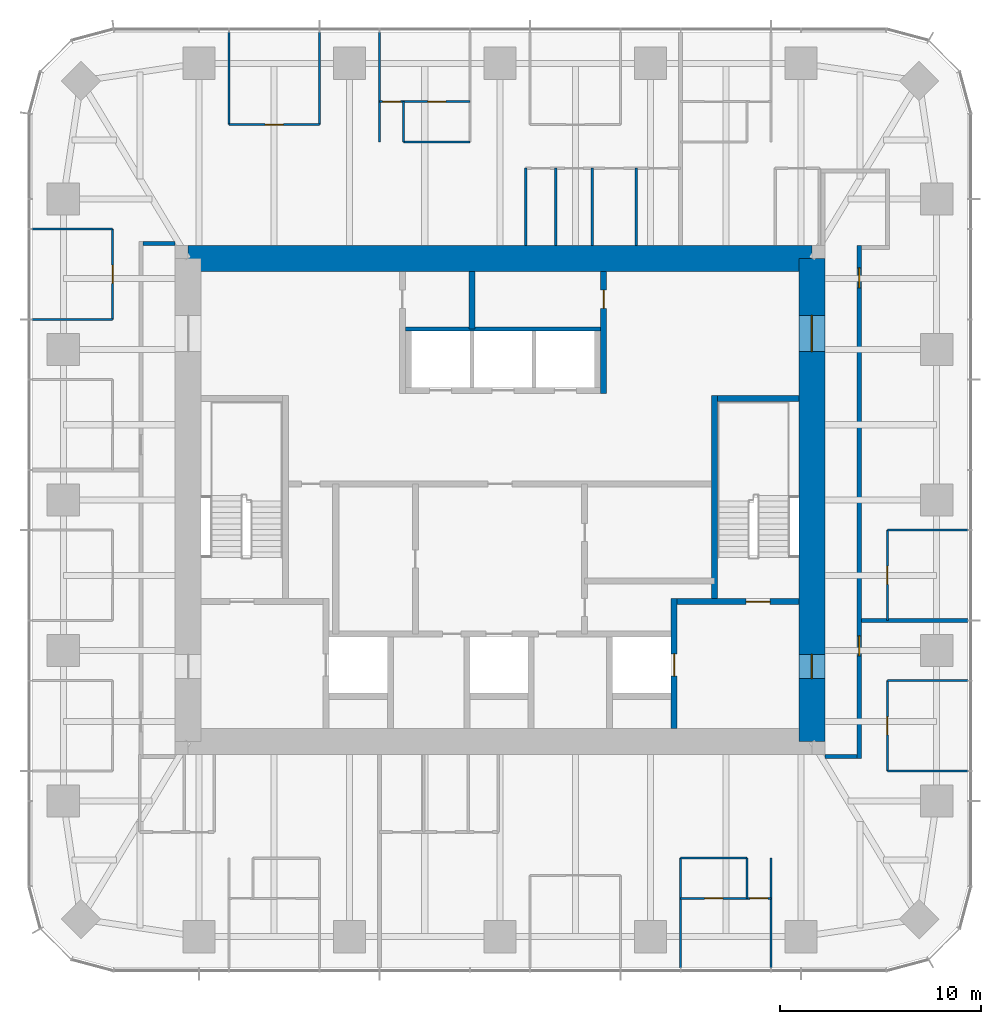
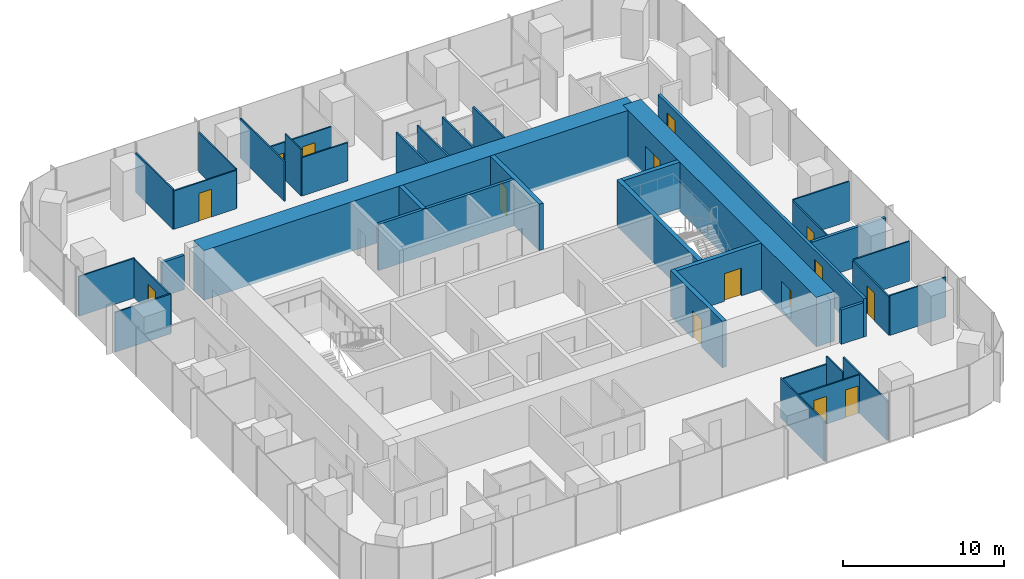
# One storey, part 10 of 12: 37 walls, 15 doors, 15 openings.
"""IFC4 building model written with IfcOpenShell, lengths in metres."""

from ifc_helpers import new_model, si_unit, direction, frame, frame_2d, origin, place, context, subcontext, project, spatial, rectangle, extrude, material, layer, layer_set, type_object, element, fill, save


model = new_model("IFC4")

# Units and contexts
model_context = context("Model", 3, precision=1e-05, world=origin(), true_north=direction((0.0, 1.0)))
body_context = subcontext(model_context, "Body", "Model", "MODEL_VIEW")
ifc_project = project(units=[si_unit("LENGTHUNIT", "METRE"), si_unit("AREAUNIT", "SQUARE_METRE"), si_unit("VOLUMEUNIT", "CUBIC_METRE"), si_unit("PLANEANGLEUNIT", "RADIAN"), si_unit("MASSUNIT", "GRAM", prefix="KILO")], contexts=[model_context])

# Site, building, storey
site_placement = place(None, origin())
site = spatial("IfcSite", under=ifc_project, at=site_placement, CompositionType="ELEMENT")
building_placement = place(site_placement, origin())
building = spatial("IfcBuilding", under=site, at=building_placement, Name="Khuree Lantern Residences", CompositionType="ELEMENT")
storey_placement = place(building_placement, frame((0.0, 0.0, 319.5)))
storey = spatial("IfcBuildingStorey", under=building, at=storey_placement, Name="L80", CompositionType="ELEMENT", Elevation=319.5)

# Walls
ifc_material_1 = material(Name="Moisture-resistant gypsum board on steel studs", Category="steel")
ifc_layer_1 = layer(ifc_material_1, 0.125)
ifc_layer_set_1 = layer_set([ifc_layer_1], Name="BATHROOM WALL BTW125")
wall_type_1 = type_object("IfcWallType", Name="BATHROOM WALL BTW125", PredefinedType="PARTITIONING", material=ifc_layer_set_1)
for number, where, z_axis, x_axis, name in (
    (1, (6.77587890625, 12.64990234375, 0.0), (0.0, 0.0, 1.0), (0.0, 1.0, 0.0), "L80 BATHROOM WALL 02"),
    (2, (4.575927734375, 12.64990234375, 0.0), (0.0, 0.0, 1.0), (0.0, 1.0, 0.0), "L80 BATHROOM WALL 02"),
    (3, (2.77587890625, 12.64990234375, 0.0), (0.0, 0.0, 1.0), (0.0, 1.0, 0.0), "L80 BATHROOM WALL 02"),
    (4, (1.27587890625, 12.64990234375, 0.0), (0.0, 0.0, 1.0), (0.0, 1.0, 0.0), "L80 BATHROOM WALL 02"),
):
    element("IfcWall", number, at=place(storey_placement, frame(where, z_axis=z_axis, x_axis=x_axis)), inside=storey, type_object=wall_type_1, Name=name, PredefinedType="PARTITIONING", context=body_context, shape_type="SweptSolid", body=[
        extrude(rectangle(XDim=3.846435546875, YDim=0.125, at=frame_2d((1.92333984375, 0.0))), origin(), (0.0, 0.0, 1.0), 3.5),
    ])

# Wall, opening, door
ifc_material_2 = material(Name="Dense concrete blockwork", Category="masonry")
ifc_layer_2 = layer(ifc_material_2, 0.300048828125)
ifc_layer_set_2 = layer_set([ifc_layer_2], Name="CORE PARTITION WALL CPW300 EI 120")
wall_type_2 = type_object("IfcWallType", Name="CORE PARTITION WALL CPW300 EI 120", PredefinedType="PARTITIONING", material=ifc_layer_set_2)
wall_1_placement = place(storey_placement, frame((8.64990234375, -11.35009765625, 0.0), z_axis=(0.0, 0.0, 1.0), x_axis=(0.0, 1.0, 0.0)))
wall_1 = element("IfcWall", 5, at=wall_1_placement, inside=storey, type_object=wall_type_2, Name="L80 CORE WALL FL2E", PredefinedType="PARTITIONING", context=body_context, shape_type="SweptSolid", body=[
    extrude(rectangle(XDim=6.4501953125, YDim=0.300048828125, at=frame_2d((3.22509765625, 0.0))), origin(), (0.0, 0.0, 1.0), 3.5),
])
opening_1_placement = place(wall_1_placement, frame((2.60009765625, 0.0, 0.0)))
opening_1 = element("IfcOpeningElement", 6, at=opening_1_placement, cuts=wall_1, Name="Opening 80-008", PredefinedType="OPENING", context=body_context, shape_type="SweptSolid", body=[
    extrude(rectangle(XDim=1.10009765625, YDim=2.10009765625, at=frame_2d((0.550048828125, 1.050048828125))), frame((0.0, 0.16015625, 0.0), z_axis=(0.0, -1.0, 0.0), x_axis=(1.0, 0.0, 0.0)), (0.0, 0.0, 1.0), 0.320068359375),
])
ifc_material_3 = material(Name="Stainless steel lift landing door", Category="steel")
door_type_1 = type_object("IfcDoorType", Name="LIFT LANDING DOOR 1100X2100 E 120", OperationType="DOUBLE_DOOR_SLIDING", PredefinedType="DOOR", material=ifc_material_3)
door_1_placement = place(opening_1_placement, origin())
door_1 = element("IfcDoor", 7, at=door_1_placement, inside=storey, type_object=door_type_1, Name="Landing door FL2 80-008", OperationType="DOUBLE_DOOR_SLIDING", OverallHeight=2.10009765625, OverallWidth=1.10009765625, PredefinedType="DOOR", context=body_context, shape_type="SweptSolid", body=[
    extrude(rectangle(XDim=1.10009765625, YDim=2.10009765625, at=frame_2d((0.550048828125, 1.050048828125))), frame((0.0, 0.02490234375, 0.0), z_axis=(0.0, -1.0, 0.0), x_axis=(1.0, 0.0, 0.0)), (0.0, 0.0, 1.0), 0.050048828125),
])
fill(opening_1, door_1)

wall_2_placement = place(storey_placement, frame((5.14990234375, 5.300048828125, 0.0), z_axis=(0.0, 0.0, 1.0), x_axis=(0.0, 1.0, 0.0)))
wall_2 = element("IfcWall", 8, at=wall_2_placement, inside=storey, type_object=wall_type_2, Name="L80 CORE WALL NE", PredefinedType="PARTITIONING", context=body_context, shape_type="SweptSolid", body=[
    extrude(rectangle(XDim=6.050048828125, YDim=0.300048828125, at=frame_2d((3.02490234375, 0.0))), origin(), (0.0, 0.0, 1.0), 3.5),
])
opening_2_placement = place(wall_2_placement, frame((4.22509765625, 0.0, 0.0)))
opening_2 = element("IfcOpeningElement", 9, at=opening_2_placement, cuts=wall_2, Name="Opening 80-021", PredefinedType="OPENING", context=body_context, shape_type="SweptSolid", body=[
    extrude(rectangle(XDim=0.89990234375, YDim=2.10009765625, at=frame_2d((0.449951171875, 1.050048828125))), frame((0.0, 0.16015625, 0.0), z_axis=(0.0, -1.0, 0.0), x_axis=(1.0, 0.0, 0.0)), (0.0, 0.0, 1.0), 0.320068359375),
])
ifc_material_4 = material(Name="Timber door leaf in hardwood frame", Category="wood")
door_type_2 = type_object("IfcDoorType", Name="DOOR 900X2100", OperationType="SINGLE_SWING_LEFT", PredefinedType="DOOR", material=ifc_material_4)
door_2_placement = place(opening_2_placement, origin())
door_2 = element("IfcDoor", 10, at=door_2_placement, inside=storey, type_object=door_type_2, Name="Bulky waste store door 80-021", OperationType="SINGLE_SWING_LEFT", OverallHeight=2.10009765625, OverallWidth=0.89990234375, PredefinedType="DOOR", context=body_context, shape_type="SweptSolid", body=[
    extrude(rectangle(XDim=0.89990234375, YDim=2.10009765625, at=frame_2d((0.449951171875, 1.050048828125))), frame((0.0, 0.02490234375, 0.0), z_axis=(0.0, -1.0, 0.0), x_axis=(1.0, 0.0, 0.0)), (0.0, 0.0, 1.0), 0.050048828125),
])
fill(opening_2, door_2)

# Walls
wall_3_placement = place(storey_placement, frame((-1.39990234375, 8.5, 0.0), z_axis=(0.0, 0.0, 1.0), x_axis=(0.0, 1.0, 0.0)))
element("IfcWall", 11, at=wall_3_placement, inside=storey, type_object=wall_type_2, Name="L80 CORE WALL NX", PredefinedType="PARTITIONING", context=body_context, shape_type="SweptSolid", body=[
    extrude(rectangle(XDim=2.85009765625, YDim=0.300048828125, at=frame_2d((1.425048828125, 0.0))), origin(), (0.0, 0.0, 1.0), 3.5),
])
ifc_material_5 = material(Name="Gypsum board on steel studs", Category="steel")
ifc_layer_3 = layer(ifc_material_5, 0.199951171875)
ifc_layer_set_3 = layer_set([ifc_layer_3], Name="CORRIDOR WALL CRW200 EI 60")
wall_type_3 = type_object("IfcWallType", Name="CORRIDOR WALL CRW200 EI 60", PredefinedType="PARTITIONING", material=ifc_layer_set_3)
for number, where, z_axis, x_axis, name in (
    (12, (16.14990234375, -12.75, 0.0), (0.0, 0.0, 1.0), (1.0, 0.0, 0.0), "L80 EAST CORRIDOR SOUTH END WALL"),
    (13, (-16.14990234375, 12.75, 0.0), (0.0, 0.0, 1.0), (-1.0, 0.0, 0.0), "L80 WEST CORRIDOR NORTH END WALL"),
):
    element("IfcWall", number, at=place(storey_placement, frame(where, z_axis=z_axis, x_axis=x_axis)), inside=storey, type_object=wall_type_3, Name=name, PredefinedType="PARTITIONING", context=body_context, shape_type="SweptSolid", body=[
        extrude(rectangle(XDim=1.60009765625, YDim=0.199951171875, at=frame_2d((0.800048828125, 0.0))), origin(), (0.0, 0.0, 1.0), 2.60009765625),
    ])

# Wall, openings, doors
wall_4_placement = place(storey_placement, frame((17.85009765625, -12.85009765625, 0.0), z_axis=(0.0, 0.0, 1.0), x_axis=(0.0, 1.0, 0.0)))
wall_4 = element("IfcWall", 14, at=wall_4_placement, inside=storey, type_object=wall_type_3, Name="L80 CORRIDOR WALL EAST 1", PredefinedType="PARTITIONING", context=body_context, shape_type="SweptSolid", body=[
    extrude(rectangle(XDim=25.5, YDim=0.199951171875, at=frame_2d((12.75, 0.0))), origin(), (0.0, 0.0, 1.0), 2.89990234375),
])
opening_3_placement = place(wall_4_placement, frame((23.385986328125, 0.0, 0.0)))
opening_3 = element("IfcOpeningElement", 15, at=opening_3_placement, cuts=wall_4, Name="Opening 80-026", PredefinedType="OPENING", context=body_context, shape_type="SweptSolid", body=[
    extrude(rectangle(XDim=1.0, YDim=2.199951171875, at=frame_2d((0.5, 1.10009765625))), frame((0.0, 0.10986328125, 0.0), z_axis=(0.0, -1.0, 0.0), x_axis=(1.0, 0.0, 0.0)), (0.0, 0.0, 1.0), 0.219970703125),
])
opening_4_placement = place(wall_4_placement, frame((5.10009765625, 0.0, 0.0)))
opening_4 = element("IfcOpeningElement", 16, at=opening_4_placement, cuts=wall_4, Name="Opening 80-052", PredefinedType="OPENING", context=body_context, shape_type="SweptSolid", body=[
    extrude(rectangle(XDim=1.0, YDim=2.199951171875, at=frame_2d((0.5, 1.10009765625))), frame((0.0, 0.10986328125, 0.0), z_axis=(0.0, -1.0, 0.0), x_axis=(1.0, 0.0, 0.0)), (0.0, 0.0, 1.0), 0.219970703125),
])
door_type_3 = type_object("IfcDoorType", Name="APARTMENT ENTRANCE DOOR 1000X2200 EI 30S", OperationType="SINGLE_SWING_LEFT", PredefinedType="DOOR", material=ifc_material_4)
door_3_placement = place(opening_3_placement, origin())
door_3 = element("IfcDoor", 17, at=door_3_placement, inside=storey, type_object=door_type_3, Name="Apartment 01 entrance door 80-026", OperationType="SINGLE_SWING_LEFT", OverallHeight=2.199951171875, OverallWidth=1.0, PredefinedType="DOOR", context=body_context, shape_type="SweptSolid", body=[
    extrude(rectangle(XDim=1.0, YDim=2.199951171875, at=frame_2d((0.5, 1.10009765625))), frame((0.0, 0.02490234375, 0.0), z_axis=(0.0, -1.0, 0.0), x_axis=(1.0, 0.0, 0.0)), (0.0, 0.0, 1.0), 0.050048828125),
])
fill(opening_3, door_3)
door_4_placement = place(opening_4_placement, origin())
door_4 = element("IfcDoor", 18, at=door_4_placement, inside=storey, type_object=door_type_3, Name="Apartment 04 entrance door 80-052", OperationType="SINGLE_SWING_LEFT", OverallHeight=2.199951171875, OverallWidth=1.0, PredefinedType="DOOR", context=body_context, shape_type="SweptSolid", body=[
    extrude(rectangle(XDim=1.0, YDim=2.199951171875, at=frame_2d((0.5, 1.10009765625))), frame((0.0, 0.02490234375, 0.0), z_axis=(0.0, -1.0, 0.0), x_axis=(1.0, 0.0, 0.0)), (0.0, 0.0, 1.0), 0.050048828125),
])
fill(opening_4, door_4)

ifc_material_6 = material(Name="Concrete C50/60", Category="concrete")
ifc_layer_4 = layer(ifc_material_6, 1.300048828125)
ifc_layer_set_4 = layer_set([ifc_layer_4], Name="CW1300-C50 CORE WALL C50 1300")
wall_type_4 = type_object("IfcWallType", Name="CW1300-C50 CORE WALL C50 1300", PredefinedType="SHEAR", material=ifc_layer_set_4)
wall_5_placement = place(storey_placement, frame((15.5, -12.0, -0.25), z_axis=(0.0, 0.0, 1.0), x_axis=(0.0, 1.0, 0.0)))
wall_5 = element("IfcWall", 19, at=wall_5_placement, inside=storey, type_object=wall_type_4, Name="Core wall E", PredefinedType="SHEAR", context=body_context, shape_type="SweptSolid", body=[
    extrude(rectangle(XDim=24.0, YDim=1.300048828125, at=frame_2d((12.0, 0.0))), origin(), (0.0, 0.0, 1.0), 3.75),
])
opening_5_placement = place(wall_5_placement, frame((3.125, 0.0, 0.25)))
opening_5 = element("IfcOpeningElement", 20, at=opening_5_placement, cuts=wall_5, Name="Opening 80-005", PredefinedType="OPENING", context=body_context, shape_type="SweptSolid", body=[
    extrude(rectangle(XDim=1.199951171875, YDim=2.10009765625, at=frame_2d((0.60009765625, 1.050048828125))), frame((0.0, 0.66015625, 0.0), z_axis=(0.0, -1.0, 0.0), x_axis=(1.0, 0.0, 0.0)), (0.0, 0.0, 1.0), 1.320068359375),
])
opening_6_placement = place(wall_5_placement, frame((19.375, 0.0, 0.25)))
opening_6 = element("IfcOpeningElement", 21, at=opening_6_placement, cuts=wall_5, Name="Opening 80-006", PredefinedType="OPENING", context=body_context, shape_type="SweptSolid", body=[
    extrude(rectangle(XDim=1.800048828125, YDim=2.10009765625, at=frame_2d((0.89990234375, 1.050048828125))), frame((0.0, 0.66015625, 0.0), z_axis=(0.0, -1.0, 0.0), x_axis=(1.0, 0.0, 0.0)), (0.0, 0.0, 1.0), 1.320068359375),
])
ifc_material_7 = material(Name="Steel door leaf in steel frame", Category="steel")
door_type_4 = type_object("IfcDoorType", Name="LOBBY DOOR 1200X2100 EI 120", OperationType="SINGLE_SWING_LEFT", PredefinedType="DOOR", material=ifc_material_7)
door_5_placement = place(opening_5_placement, origin())
door_5 = element("IfcDoor", 22, at=door_5_placement, inside=storey, type_object=door_type_4, Name="Firefighting lobby door 80-005", OperationType="SINGLE_SWING_LEFT", OverallHeight=2.10009765625, OverallWidth=1.199951171875, PredefinedType="DOOR", context=body_context, shape_type="SweptSolid", body=[
    extrude(rectangle(XDim=1.199951171875, YDim=2.10009765625, at=frame_2d((0.60009765625, 1.050048828125))), frame((0.0, 0.02490234375, 0.0), z_axis=(0.0, -1.0, 0.0), x_axis=(1.0, 0.0, 0.0)), (0.0, 0.0, 1.0), 0.050048828125),
])
fill(opening_5, door_5)
door_type_5 = type_object("IfcDoorType", Name="LOBBY DOUBLE DOOR 1800X2100 EI 60", OperationType="DOUBLE_DOOR_SINGLE_SWING", PredefinedType="DOOR", material=ifc_material_7)
door_6_placement = place(opening_6_placement, origin())
door_6 = element("IfcDoor", 23, at=door_6_placement, inside=storey, type_object=door_type_5, Name="Lift lobby door 80-006", OperationType="DOUBLE_DOOR_SINGLE_SWING", OverallHeight=2.10009765625, OverallWidth=1.800048828125, PredefinedType="DOOR", context=body_context, shape_type="SweptSolid", body=[
    extrude(rectangle(XDim=1.800048828125, YDim=2.10009765625, at=frame_2d((0.89990234375, 1.050048828125))), frame((0.0, 0.02490234375, 0.0), z_axis=(0.0, -1.0, 0.0), x_axis=(1.0, 0.0, 0.0)), (0.0, 0.0, 1.0), 0.050048828125),
])
fill(opening_6, door_6)

# Walls
wall_6_placement = place(storey_placement, frame((-15.5, 12.0, -0.25), z_axis=(0.0, 0.0, 1.0), x_axis=(1.0, 0.0, 0.0)))
element("IfcWall", 24, at=wall_6_placement, inside=storey, type_object=wall_type_4, Name="Core wall N", PredefinedType="SHEAR", context=body_context, shape_type="SweptSolid", body=[
    extrude(rectangle(XDim=31.0, YDim=1.300048828125, at=frame_2d((15.5, 0.0))), origin(), (0.0, 0.0, 1.0), 3.75),
])
ifc_layer_5 = layer(ifc_material_5, 0.199951171875)
ifc_layer_set_5 = layer_set([ifc_layer_5], Name="DEMISING WALL DMW200 EI 90")
wall_type_5 = type_object("IfcWallType", Name="DEMISING WALL DMW200 EI 90", PredefinedType="PARTITIONING", material=ifc_layer_set_5)
wall_7_placement = place(storey_placement, frame((17.949951171875, -5.98388671875, 0.0), z_axis=(0.0, 0.0, 1.0), x_axis=(1.0, 0.0, 0.0)))
element("IfcWall", 25, at=wall_7_placement, inside=storey, type_object=wall_type_5, Name="L80 DEMISING WALL 01", PredefinedType="PARTITIONING", context=body_context, shape_type="SweptSolid", body=[
    extrude(rectangle(XDim=5.300048828125, YDim=0.199951171875, at=frame_2d((2.64990234375, 0.0))), origin(), (0.0, 0.0, 1.0), 3.010009765625),
])
ifc_layer_6 = layer(ifc_material_5, 0.10009765625)
ifc_layer_set_6 = layer_set([ifc_layer_6], Name="PARTITION PT100")
wall_type_6 = type_object("IfcWallType", Name="PARTITION PT100", PredefinedType="PARTITIONING", material=ifc_layer_set_6)
wall_8_placement = place(storey_placement, frame((19.25, -1.49609375, 0.0), z_axis=(0.0, 0.0, 1.0), x_axis=(1.0, 0.0, 0.0)))
element("IfcWall", 26, at=wall_8_placement, inside=storey, type_object=wall_type_6, Name="L80 PARTITION 01", PredefinedType="PARTITIONING", context=body_context, shape_type="SweptSolid", body=[
    extrude(rectangle(XDim=4.0, YDim=0.10009765625, at=frame_2d((2.0, 0.0))), origin(), (0.0, 0.0, 1.0), 3.010009765625),
])
wall_9_placement = place(storey_placement, frame((-5.98388671875, 17.79638671875, 0.0), z_axis=(0.0, 0.0, 1.0), x_axis=(0.0, 1.0, 0.0)))
element("IfcWall", 27, at=wall_9_placement, inside=storey, type_object=wall_type_6, Name="L80 PARTITION 02", PredefinedType="PARTITIONING", context=body_context, shape_type="SweptSolid", body=[
    extrude(rectangle(XDim=5.45361328125, YDim=0.10009765625, at=frame_2d((2.726806640625, 0.0))), origin(), (0.0, 0.0, 1.0), 3.010009765625),
])
for number, where, z_axis, x_axis, name in (
    (28, (-8.97607421875, 18.64990234375, 0.0), (0.0, 0.0, 1.0), (0.0, 1.0, 0.0), "L80 PARTITION 02"),
    (29, (-13.464111328125, 18.64990234375, 0.0), (0.0, 0.0, 1.0), (0.0, 1.0, 0.0), "L80 PARTITION 02"),
):
    element("IfcWall", number, at=place(storey_placement, frame(where, z_axis=z_axis, x_axis=x_axis)), inside=storey, type_object=wall_type_6, Name=name, PredefinedType="PARTITIONING", context=body_context, shape_type="SweptSolid", body=[
        extrude(rectangle(XDim=4.60009765625, YDim=0.10009765625, at=frame_2d((2.300048828125, 0.0))), origin(), (0.0, 0.0, 1.0), 3.010009765625),
    ])
for number, where, z_axis, x_axis, name in (
    (30, (-19.25, 13.464111328125, 0.0), (0.0, 0.0, 1.0), (-1.0, 0.0, 0.0), "L80 PARTITION 02"),
    (31, (-19.25, 8.97607421875, 0.0), (0.0, 0.0, 1.0), (-1.0, 0.0, 0.0), "L80 PARTITION 02"),
):
    element("IfcWall", number, at=place(storey_placement, frame(where, z_axis=z_axis, x_axis=x_axis)), inside=storey, type_object=wall_type_6, Name=name, PredefinedType="PARTITIONING", context=body_context, shape_type="SweptSolid", body=[
        extrude(rectangle(XDim=4.0, YDim=0.10009765625, at=frame_2d((2.0, 0.0))), origin(), (0.0, 0.0, 1.0), 3.010009765625),
    ])
for number, where, z_axis, x_axis, name in (
    (32, (8.97607421875, -17.79638671875, 0.0), (0.0, 0.0, 1.0), (0.0, -1.0, 0.0), "L80 PARTITION 04"),
    (33, (13.464111328125, -17.79638671875, 0.0), (0.0, 0.0, 1.0), (0.0, -1.0, 0.0), "L80 PARTITION 04"),
):
    element("IfcWall", number, at=place(storey_placement, frame(where, z_axis=z_axis, x_axis=x_axis)), inside=storey, type_object=wall_type_6, Name=name, PredefinedType="PARTITIONING", context=body_context, shape_type="SweptSolid", body=[
        extrude(rectangle(XDim=5.45361328125, YDim=0.10009765625, at=frame_2d((2.726806640625, 0.0))), origin(), (0.0, 0.0, 1.0), 3.010009765625),
    ])
for number, where, z_axis, x_axis, name in (
    (34, (19.25, -13.464111328125, 0.0), (0.0, 0.0, 1.0), (1.0, 0.0, 0.0), "L80 PARTITION 04"),
    (35, (19.25, -8.97607421875, 0.0), (0.0, 0.0, 1.0), (1.0, 0.0, 0.0), "L80 PARTITION 04"),
):
    element("IfcWall", number, at=place(storey_placement, frame(where, z_axis=z_axis, x_axis=x_axis)), inside=storey, type_object=wall_type_6, Name=name, PredefinedType="PARTITIONING", context=body_context, shape_type="SweptSolid", body=[
        extrude(rectangle(XDim=4.0, YDim=0.10009765625, at=frame_2d((2.0, 0.0))), origin(), (0.0, 0.0, 1.0), 3.010009765625),
    ])

# Wall, opening, door
wall_10_placement = place(storey_placement, frame((19.25, -5.98388671875, 0.0), z_axis=(0.0, 0.0, 1.0), x_axis=(0.0, 1.0, 0.0)))
wall_10 = element("IfcWall", 36, at=wall_10_placement, inside=storey, type_object=wall_type_6, Name="L80 PARTITION 01", PredefinedType="PARTITIONING", context=body_context, shape_type="SweptSolid", body=[
    extrude(rectangle(XDim=4.48779296875, YDim=0.10009765625, at=frame_2d((2.243896484375, 0.0))), origin(), (0.0, 0.0, 1.0), 2.909912109375),
])
opening_7_placement = place(wall_10_placement, frame((1.7939453125, 0.0, 0.0)))
opening_7 = element("IfcOpeningElement", 37, at=opening_7_placement, cuts=wall_10, Name="Opening 80-022", PredefinedType="OPENING", context=body_context, shape_type="SweptSolid", body=[
    extrude(rectangle(XDim=0.89990234375, YDim=2.10009765625, at=frame_2d((0.449951171875, 1.050048828125))), frame((0.0, 0.06005859375, 0.0), z_axis=(0.0, -1.0, 0.0), x_axis=(1.0, 0.0, 0.0)), (0.0, 0.0, 1.0), 0.1201171875),
])
door_type_6 = type_object("IfcDoorType", Name="BEDROOM DOOR 900X2100", OperationType="SINGLE_SWING_LEFT", PredefinedType="DOOR", material=ifc_material_4)
door_7_placement = place(opening_7_placement, origin())
door_7 = element("IfcDoor", 38, at=door_7_placement, inside=storey, type_object=door_type_6, Name="Bedroom door 80-022", OperationType="SINGLE_SWING_LEFT", OverallHeight=2.10009765625, OverallWidth=0.89990234375, PredefinedType="DOOR", context=body_context, shape_type="SweptSolid", body=[
    extrude(rectangle(XDim=0.89990234375, YDim=2.10009765625, at=frame_2d((0.449951171875, 1.050048828125))), frame((0.0, 0.02490234375, 0.0), z_axis=(0.0, -1.0, 0.0), x_axis=(1.0, 0.0, 0.0)), (0.0, 0.0, 1.0), 0.050048828125),
])
fill(opening_7, door_7)

# Wall, openings, doors
wall_11_placement = place(storey_placement, frame((-1.49609375, 19.79638671875, 0.0), z_axis=(0.0, 0.0, 1.0), x_axis=(-1.0, 0.0, 0.0)))
wall_11 = element("IfcWall", 39, at=wall_11_placement, inside=storey, type_object=wall_type_6, Name="L80 PARTITION 02", PredefinedType="PARTITIONING", context=body_context, shape_type="SweptSolid", body=[
    extrude(rectangle(XDim=4.48779296875, YDim=0.10009765625, at=frame_2d((2.243896484375, 0.0))), origin(), (0.0, 0.0, 1.0), 2.909912109375),
])
opening_8_placement = place(wall_11_placement, frame((3.43798828125, 0.0, 0.0)))
opening_8 = element("IfcOpeningElement", 40, at=opening_8_placement, cuts=wall_11, Name="Opening 80-028", PredefinedType="OPENING", context=body_context, shape_type="SweptSolid", body=[
    extrude(rectangle(XDim=0.89990234375, YDim=2.10009765625, at=frame_2d((0.449951171875, 1.050048828125))), frame((0.0, 0.06005859375, 0.0), z_axis=(0.0, -1.0, 0.0), x_axis=(1.0, 0.0, 0.0)), (0.0, 0.0, 1.0), 0.1201171875),
])
opening_9_placement = place(wall_11_placement, frame((1.194091796875, 0.0, 0.0)))
opening_9 = element("IfcOpeningElement", 41, at=opening_9_placement, cuts=wall_11, Name="Opening 80-029", PredefinedType="OPENING", context=body_context, shape_type="SweptSolid", body=[
    extrude(rectangle(XDim=0.89990234375, YDim=2.10009765625, at=frame_2d((0.449951171875, 1.050048828125))), frame((0.0, 0.06005859375, 0.0), z_axis=(0.0, -1.0, 0.0), x_axis=(1.0, 0.0, 0.0)), (0.0, 0.0, 1.0), 0.1201171875),
])
door_8_placement = place(opening_8_placement, origin())
door_8 = element("IfcDoor", 42, at=door_8_placement, inside=storey, type_object=door_type_6, Name="Bedroom door 80-028", OperationType="SINGLE_SWING_LEFT", OverallHeight=2.10009765625, OverallWidth=0.89990234375, PredefinedType="DOOR", context=body_context, shape_type="SweptSolid", body=[
    extrude(rectangle(XDim=0.89990234375, YDim=2.10009765625, at=frame_2d((0.449951171875, 1.050048828125))), frame((0.0, 0.02490234375, 0.0), z_axis=(0.0, -1.0, 0.0), x_axis=(1.0, 0.0, 0.0)), (0.0, 0.0, 1.0), 0.050048828125),
])
fill(opening_8, door_8)
door_9_placement = place(opening_9_placement, origin())
door_9 = element("IfcDoor", 43, at=door_9_placement, inside=storey, type_object=door_type_2, Name="Wardrobe door 80-029", OperationType="SINGLE_SWING_LEFT", OverallHeight=2.10009765625, OverallWidth=0.89990234375, PredefinedType="DOOR", context=body_context, shape_type="SweptSolid", body=[
    extrude(rectangle(XDim=0.89990234375, YDim=2.10009765625, at=frame_2d((0.449951171875, 1.050048828125))), frame((0.0, 0.02490234375, 0.0), z_axis=(0.0, -1.0, 0.0), x_axis=(1.0, 0.0, 0.0)), (0.0, 0.0, 1.0), 0.050048828125),
])
fill(opening_9, door_9)

# Walls
wall_12_placement = place(storey_placement, frame((-4.783935546875, 17.79638671875, 0.0), z_axis=(0.0, 0.0, 1.0), x_axis=(0.0, 1.0, 0.0)))
element("IfcWall", 44, at=wall_12_placement, inside=storey, type_object=wall_type_6, Name="L80 PARTITION 02", PredefinedType="PARTITIONING", context=body_context, shape_type="SweptSolid", body=[
    extrude(rectangle(XDim=2.0, YDim=0.10009765625, at=frame_2d((1.0, 0.0))), origin(), (0.0, 0.0, 1.0), 3.5),
])
wall_13_placement = place(storey_placement, frame((-1.49609375, 17.79638671875, 0.0), z_axis=(0.0, 0.0, 1.0), x_axis=(-1.0, 0.0, 0.0)))
element("IfcWall", 45, at=wall_13_placement, inside=storey, type_object=wall_type_6, Name="L80 PARTITION 02", PredefinedType="PARTITIONING", context=body_context, shape_type="SweptSolid", body=[
    extrude(rectangle(XDim=3.287841796875, YDim=0.10009765625, at=frame_2d((1.64404296875, 0.0))), origin(), (0.0, 0.0, 1.0), 2.909912109375),
])

# Wall, opening, door
wall_14_placement = place(storey_placement, frame((-8.97607421875, 18.64990234375, 0.0), z_axis=(0.0, 0.0, 1.0), x_axis=(-1.0, 0.0, 0.0)))
wall_14 = element("IfcWall", 46, at=wall_14_placement, inside=storey, type_object=wall_type_6, Name="L80 PARTITION 02", PredefinedType="PARTITIONING", context=body_context, shape_type="SweptSolid", body=[
    extrude(rectangle(XDim=4.488037109375, YDim=0.10009765625, at=frame_2d((2.244140625, 0.0))), origin(), (0.0, 0.0, 1.0), 2.909912109375),
])
opening_10_placement = place(wall_14_placement, frame((1.7939453125, 0.0, 0.0)))
opening_10 = element("IfcOpeningElement", 47, at=opening_10_placement, cuts=wall_14, Name="Opening 80-030", PredefinedType="OPENING", context=body_context, shape_type="SweptSolid", body=[
    extrude(rectangle(XDim=0.89990234375, YDim=2.10009765625, at=frame_2d((0.449951171875, 1.050048828125))), frame((0.0, 0.06005859375, 0.0), z_axis=(0.0, -1.0, 0.0), x_axis=(1.0, 0.0, 0.0)), (0.0, 0.0, 1.0), 0.1201171875),
])
door_10_placement = place(opening_10_placement, origin())
door_10 = element("IfcDoor", 48, at=door_10_placement, inside=storey, type_object=door_type_6, Name="Bedroom door 80-030", OperationType="SINGLE_SWING_LEFT", OverallHeight=2.10009765625, OverallWidth=0.89990234375, PredefinedType="DOOR", context=body_context, shape_type="SweptSolid", body=[
    extrude(rectangle(XDim=0.89990234375, YDim=2.10009765625, at=frame_2d((0.449951171875, 1.050048828125))), frame((0.0, 0.02490234375, 0.0), z_axis=(0.0, -1.0, 0.0), x_axis=(1.0, 0.0, 0.0)), (0.0, 0.0, 1.0), 0.050048828125),
])
fill(opening_10, door_10)

wall_15_placement = place(storey_placement, frame((-19.25, 13.464111328125, 0.0), z_axis=(0.0, 0.0, 1.0), x_axis=(0.0, -1.0, 0.0)))
wall_15 = element("IfcWall", 49, at=wall_15_placement, inside=storey, type_object=wall_type_6, Name="L80 PARTITION 02", PredefinedType="PARTITIONING", context=body_context, shape_type="SweptSolid", body=[
    extrude(rectangle(XDim=4.488037109375, YDim=0.10009765625, at=frame_2d((2.244140625, 0.0))), origin(), (0.0, 0.0, 1.0), 2.909912109375),
])
opening_11_placement = place(wall_15_placement, frame((1.7939453125, 0.0, 0.0)))
opening_11 = element("IfcOpeningElement", 50, at=opening_11_placement, cuts=wall_15, Name="Opening 80-031", PredefinedType="OPENING", context=body_context, shape_type="SweptSolid", body=[
    extrude(rectangle(XDim=0.89990234375, YDim=2.10009765625, at=frame_2d((0.449951171875, 1.050048828125))), frame((0.0, 0.06005859375, 0.0), z_axis=(0.0, -1.0, 0.0), x_axis=(1.0, 0.0, 0.0)), (0.0, 0.0, 1.0), 0.1201171875),
])
door_11_placement = place(opening_11_placement, origin())
door_11 = element("IfcDoor", 51, at=door_11_placement, inside=storey, type_object=door_type_6, Name="Bedroom door 80-031", OperationType="SINGLE_SWING_LEFT", OverallHeight=2.10009765625, OverallWidth=0.89990234375, PredefinedType="DOOR", context=body_context, shape_type="SweptSolid", body=[
    extrude(rectangle(XDim=0.89990234375, YDim=2.10009765625, at=frame_2d((0.449951171875, 1.050048828125))), frame((0.0, 0.02490234375, 0.0), z_axis=(0.0, -1.0, 0.0), x_axis=(1.0, 0.0, 0.0)), (0.0, 0.0, 1.0), 0.050048828125),
])
fill(opening_11, door_11)

# Wall, openings, doors
wall_16_placement = place(storey_placement, frame((8.97607421875, -19.79638671875, 0.0), z_axis=(0.0, 0.0, 1.0), x_axis=(1.0, 0.0, 0.0)))
wall_16 = element("IfcWall", 52, at=wall_16_placement, inside=storey, type_object=wall_type_6, Name="L80 PARTITION 04", PredefinedType="PARTITIONING", context=body_context, shape_type="SweptSolid", body=[
    extrude(rectangle(XDim=4.488037109375, YDim=0.10009765625, at=frame_2d((2.244140625, 0.0))), origin(), (0.0, 0.0, 1.0), 2.909912109375),
])
opening_12_placement = place(wall_16_placement, frame((3.43798828125, 0.0, 0.0)))
opening_12 = element("IfcOpeningElement", 53, at=opening_12_placement, cuts=wall_16, Name="Opening 80-046", PredefinedType="OPENING", context=body_context, shape_type="SweptSolid", body=[
    extrude(rectangle(XDim=0.89990234375, YDim=2.10009765625, at=frame_2d((0.449951171875, 1.050048828125))), frame((0.0, 0.06005859375, 0.0), z_axis=(0.0, -1.0, 0.0), x_axis=(1.0, 0.0, 0.0)), (0.0, 0.0, 1.0), 0.1201171875),
])
opening_13_placement = place(wall_16_placement, frame((1.194091796875, 0.0, 0.0)))
opening_13 = element("IfcOpeningElement", 54, at=opening_13_placement, cuts=wall_16, Name="Opening 80-047", PredefinedType="OPENING", context=body_context, shape_type="SweptSolid", body=[
    extrude(rectangle(XDim=0.89990234375, YDim=2.10009765625, at=frame_2d((0.449951171875, 1.050048828125))), frame((0.0, 0.06005859375, 0.0), z_axis=(0.0, -1.0, 0.0), x_axis=(1.0, 0.0, 0.0)), (0.0, 0.0, 1.0), 0.1201171875),
])
door_12_placement = place(opening_12_placement, origin())
door_12 = element("IfcDoor", 55, at=door_12_placement, inside=storey, type_object=door_type_6, Name="Bedroom door 80-046", OperationType="SINGLE_SWING_LEFT", OverallHeight=2.10009765625, OverallWidth=0.89990234375, PredefinedType="DOOR", context=body_context, shape_type="SweptSolid", body=[
    extrude(rectangle(XDim=0.89990234375, YDim=2.10009765625, at=frame_2d((0.449951171875, 1.050048828125))), frame((0.0, 0.02490234375, 0.0), z_axis=(0.0, -1.0, 0.0), x_axis=(1.0, 0.0, 0.0)), (0.0, 0.0, 1.0), 0.050048828125),
])
fill(opening_12, door_12)
door_13_placement = place(opening_13_placement, origin())
door_13 = element("IfcDoor", 56, at=door_13_placement, inside=storey, type_object=door_type_2, Name="Wardrobe door 80-047", OperationType="SINGLE_SWING_LEFT", OverallHeight=2.10009765625, OverallWidth=0.89990234375, PredefinedType="DOOR", context=body_context, shape_type="SweptSolid", body=[
    extrude(rectangle(XDim=0.89990234375, YDim=2.10009765625, at=frame_2d((0.449951171875, 1.050048828125))), frame((0.0, 0.02490234375, 0.0), z_axis=(0.0, -1.0, 0.0), x_axis=(1.0, 0.0, 0.0)), (0.0, 0.0, 1.0), 0.050048828125),
])
fill(opening_13, door_13)

# Walls
wall_17_placement = place(storey_placement, frame((12.263916015625, -17.79638671875, 0.0), z_axis=(0.0, 0.0, 1.0), x_axis=(0.0, -1.0, 0.0)))
element("IfcWall", 57, at=wall_17_placement, inside=storey, type_object=wall_type_6, Name="L80 PARTITION 04", PredefinedType="PARTITIONING", context=body_context, shape_type="SweptSolid", body=[
    extrude(rectangle(XDim=2.0, YDim=0.10009765625, at=frame_2d((1.0, 0.0))), origin(), (0.0, 0.0, 1.0), 3.5),
])
wall_18_placement = place(storey_placement, frame((8.97607421875, -17.79638671875, 0.0), z_axis=(0.0, 0.0, 1.0), x_axis=(1.0, 0.0, 0.0)))
element("IfcWall", 58, at=wall_18_placement, inside=storey, type_object=wall_type_6, Name="L80 PARTITION 04", PredefinedType="PARTITIONING", context=body_context, shape_type="SweptSolid", body=[
    extrude(rectangle(XDim=3.287841796875, YDim=0.10009765625, at=frame_2d((1.64404296875, 0.0))), origin(), (0.0, 0.0, 1.0), 2.909912109375),
])

# Wall, opening, door
wall_19_placement = place(storey_placement, frame((19.25, -13.464111328125, 0.0), z_axis=(0.0, 0.0, 1.0), x_axis=(0.0, 1.0, 0.0)))
wall_19 = element("IfcWall", 59, at=wall_19_placement, inside=storey, type_object=wall_type_6, Name="L80 PARTITION 04", PredefinedType="PARTITIONING", context=body_context, shape_type="SweptSolid", body=[
    extrude(rectangle(XDim=4.488037109375, YDim=0.10009765625, at=frame_2d((2.244140625, 0.0))), origin(), (0.0, 0.0, 1.0), 2.909912109375),
])
opening_14_placement = place(wall_19_placement, frame((1.7939453125, 0.0, 0.0)))
opening_14 = element("IfcOpeningElement", 60, at=opening_14_placement, cuts=wall_19, Name="Opening 80-048", PredefinedType="OPENING", context=body_context, shape_type="SweptSolid", body=[
    extrude(rectangle(XDim=0.89990234375, YDim=2.10009765625, at=frame_2d((0.449951171875, 1.050048828125))), frame((0.0, 0.06005859375, 0.0), z_axis=(0.0, -1.0, 0.0), x_axis=(1.0, 0.0, 0.0)), (0.0, 0.0, 1.0), 0.1201171875),
])
door_14_placement = place(opening_14_placement, origin())
door_14 = element("IfcDoor", 61, at=door_14_placement, inside=storey, type_object=door_type_6, Name="Bedroom door 80-048", OperationType="SINGLE_SWING_LEFT", OverallHeight=2.10009765625, OverallWidth=0.89990234375, PredefinedType="DOOR", context=body_context, shape_type="SweptSolid", body=[
    extrude(rectangle(XDim=0.89990234375, YDim=2.10009765625, at=frame_2d((0.449951171875, 1.050048828125))), frame((0.0, 0.02490234375, 0.0), z_axis=(0.0, -1.0, 0.0), x_axis=(1.0, 0.0, 0.0)), (0.0, 0.0, 1.0), 0.050048828125),
])
fill(opening_14, door_14)

# Walls
ifc_layer_7 = layer(ifc_material_2, 0.199951171875)
ifc_layer_set_7 = layer_set([ifc_layer_7], Name="SHAFT WALL SHW200 EI 120")
wall_type_7 = type_object("IfcWallType", Name="SHAFT WALL SHW200 EI 120", PredefinedType="PARTITIONING", material=ifc_layer_set_7)
wall_20_placement = place(storey_placement, frame((-4.699951171875, 8.5, 0.0), z_axis=(0.0, 0.0, 1.0), x_axis=(1.0, 0.0, 0.0)))
element("IfcWall", 62, at=wall_20_placement, inside=storey, type_object=wall_type_7, Name="L80 CORE WALL PHN", PredefinedType="PARTITIONING", context=body_context, shape_type="SweptSolid", body=[
    extrude(rectangle(XDim=9.699951171875, YDim=0.199951171875, at=frame_2d((4.85009765625, 0.0))), origin(), (0.0, 0.0, 1.0), 3.5),
])
ifc_layer_8 = layer(ifc_material_6, 0.300048828125)
ifc_layer_set_8 = layer_set([ifc_layer_8], Name="STAIR WALL SRW300 C50/60 REI 240")
wall_type_8 = type_object("IfcWallType", Name="STAIR WALL SRW300 C50/60 REI 240", PredefinedType="SOLIDWALL", material=ifc_layer_set_8)
wall_21_placement = place(storey_placement, frame((10.64990234375, -4.89990234375, 0.0), z_axis=(0.0, 0.0, 1.0), x_axis=(0.0, 1.0, 0.0)))
element("IfcWall", 63, at=wall_21_placement, inside=storey, type_object=wall_type_8, Name="L80 STAIR WALL ST2E", PredefinedType="SOLIDWALL", context=body_context, shape_type="SweptSolid", body=[
    extrude(rectangle(XDim=10.099853515625, YDim=0.300048828125, at=frame_2d((5.0498046875, 0.0))), origin(), (0.0, 0.0, 1.0), 3.5),
])

# Wall, opening, door
wall_22_placement = place(storey_placement, frame((14.85009765625, -5.050048828125, 0.0), z_axis=(0.0, 0.0, 1.0), x_axis=(-1.0, 0.0, 0.0)))
wall_22 = element("IfcWall", 64, at=wall_22_placement, inside=storey, type_object=wall_type_8, Name="L80 STAIR WALL ST2S", PredefinedType="SOLIDWALL", context=body_context, shape_type="SweptSolid", body=[
    extrude(rectangle(XDim=6.050048828125, YDim=0.300048828125, at=frame_2d((3.02490234375, 0.0))), origin(), (0.0, 0.0, 1.0), 3.5),
])
opening_15_placement = place(wall_22_placement, frame((1.425048828125, 0.0, 0.0)))
opening_15 = element("IfcOpeningElement", 65, at=opening_15_placement, cuts=wall_22, Name="Opening 80-004", PredefinedType="OPENING", context=body_context, shape_type="SweptSolid", body=[
    extrude(rectangle(XDim=1.199951171875, YDim=2.10009765625, at=frame_2d((0.60009765625, 1.050048828125))), frame((0.0, 0.16015625, 0.0), z_axis=(0.0, -1.0, 0.0), x_axis=(1.0, 0.0, 0.0)), (0.0, 0.0, 1.0), 0.320068359375),
])
door_type_7 = type_object("IfcDoorType", Name="STAIR DOOR 1200X2100 EI 120", OperationType="SINGLE_SWING_LEFT", PredefinedType="DOOR", material=ifc_material_7)
door_15_placement = place(opening_15_placement, origin())
door_15 = element("IfcDoor", 66, at=door_15_placement, inside=storey, type_object=door_type_7, Name="Stair ST2 door 80-004", OperationType="SINGLE_SWING_LEFT", OverallHeight=2.10009765625, OverallWidth=1.199951171875, PredefinedType="DOOR", context=body_context, shape_type="SweptSolid", body=[
    extrude(rectangle(XDim=1.199951171875, YDim=2.10009765625, at=frame_2d((0.60009765625, 1.050048828125))), frame((0.0, 0.02490234375, 0.0), z_axis=(0.0, -1.0, 0.0), x_axis=(1.0, 0.0, 0.0)), (0.0, 0.0, 1.0), 0.050048828125),
])
fill(opening_15, door_15)

# Wall
wall_23_placement = place(storey_placement, frame((14.85009765625, 5.050048828125, 0.0), z_axis=(0.0, 0.0, 1.0), x_axis=(-1.0, 0.0, 0.0)))
element("IfcWall", 67, at=wall_23_placement, inside=storey, type_object=wall_type_8, Name="L80 STAIR WALL ST2N", PredefinedType="SOLIDWALL", context=body_context, shape_type="SweptSolid", body=[
    extrude(rectangle(XDim=4.050048828125, YDim=0.300048828125, at=frame_2d((2.02490234375, 0.0))), origin(), (0.0, 0.0, 1.0), 3.5),
])

save(model, "model.ifc")
